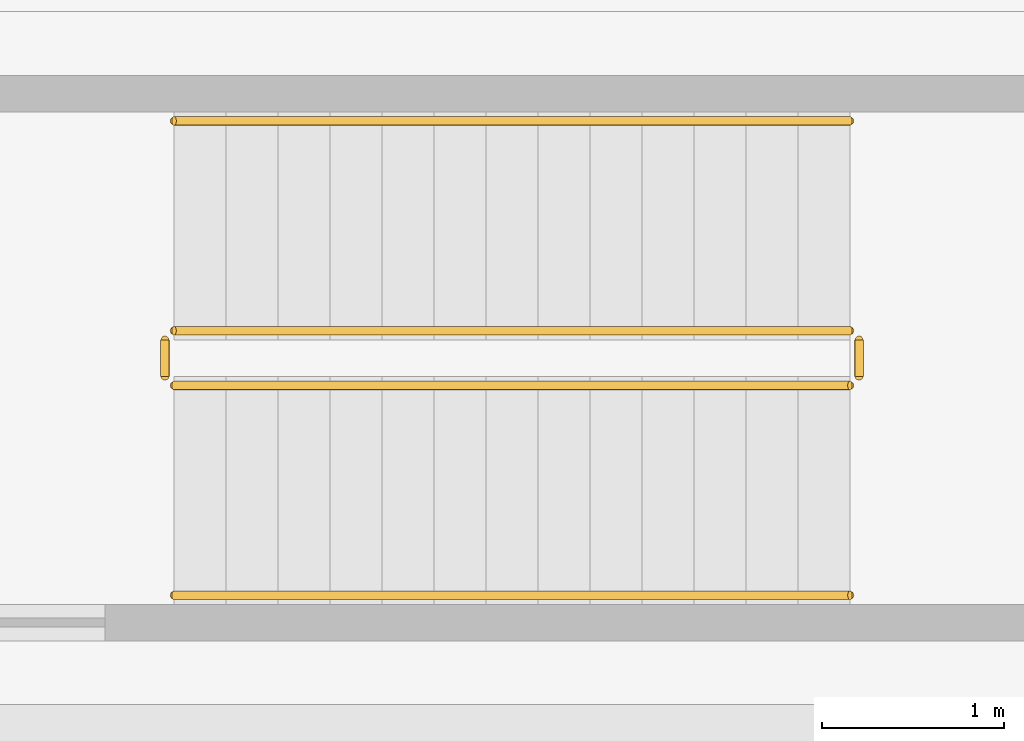
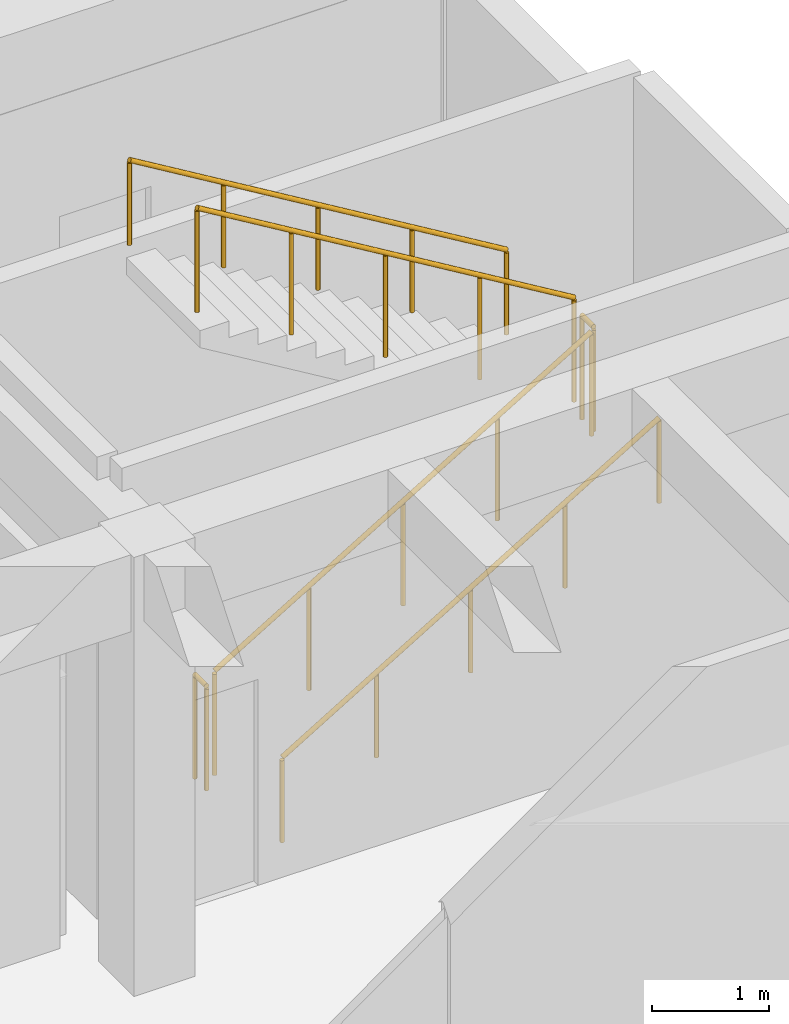
# One storey, part 155 of 155: 6 railings.
"""IFC4 building model written with IfcOpenShell, lengths in metres."""

import ifcopenshell
import ifcopenshell.guid

model = None  # the IFC model being written
_history = None  # IfcOwnerHistory: only IFC2X3 demands one
_inside = {}  # id of a spatial element -> (the spatial element, [elements in it])
_under = {}  # id of a project, library or spatial element -> (it, [spatial elements below it])
_declared = {}  # id of a project -> (the project, [libraries it declares])
_typed = {}  # id of a type object -> (the type object, [elements of that type])
_made_of = {}  # id of a material, layer set ... -> (it, [elements and type objects made of it])


def new_model(schema):
    """Start an empty IFC model of exactly this schema.

    Asked for "IFC4X3", IfcOpenShell would pick the latest addendum, in which some entities
    have other attributes; the version numbers below select the first issue.
    IFC2X3 requires an IfcOwnerHistory on every rooted entity: one is made here for all.
    """
    global model, _history
    if schema == "IFC4X3":
        model = ifcopenshell.file(schema_version=(4, 3, 0, 0))
    else:
        model = ifcopenshell.file(schema=schema)
    _inside.clear()
    _under.clear()
    _declared.clear()
    _typed.clear()
    _made_of.clear()
    _history = None
    if model.schema == "IFC2X3":
        org = make("IfcOrganization", Name="unknown")
        user = make(
            "IfcPersonAndOrganization",
            ThePerson=make("IfcPerson", FamilyName="unknown"),
            TheOrganization=org,
        )
        app = make(
            "IfcApplication",
            ApplicationDeveloper=org,
            Version="unknown",
            ApplicationFullName="unknown",
            ApplicationIdentifier="unknown",
        )
        _history = make(
            "IfcOwnerHistory",
            OwningUser=user,
            OwningApplication=app,
            ChangeAction="ADDED",
            CreationDate=0,
        )
    return model


def make(cls, **values):
    """One entity of the class cls with the attributes given. An attribute that is None is left unset."""
    return model.create_entity(
        cls, **{name: value for name, value in values.items() if value is not None}
    )


def rooted(cls, **values):
    """An entity with a GlobalId (a new one), such as an element, a storey or a relation."""
    return make(cls, GlobalId=ifcopenshell.guid.new(), OwnerHistory=_history, **values)


def si_unit(unit_type, name, prefix=None):
    """IfcSIUnit, for example si_unit("LENGTHUNIT", "METRE", prefix="MILLI")."""
    return make("IfcSIUnit", UnitType=unit_type, Prefix=prefix, Name=name)


def assignment(units):
    """IfcUnitAssignment: the units of a project."""
    return None if units is None else make("IfcUnitAssignment", Units=units)


def point(xyz):
    """IfcCartesianPoint."""
    return None if xyz is None else make("IfcCartesianPoint", Coordinates=xyz)


def direction(xyz):
    """IfcDirection."""
    return None if xyz is None else make("IfcDirection", DirectionRatios=xyz)


def frame(location, z_axis=None, x_axis=None):
    """IfcAxis2Placement3D, a coordinate frame: its origin and axes. An axis left out is left unset."""
    return make(
        "IfcAxis2Placement3D",
        Location=point(location),
        Axis=direction(z_axis),
        RefDirection=direction(x_axis),
    )


def frame_2d(location, x_axis=None):
    """IfcAxis2Placement2D, a coordinate frame in the plane: its origin and x axis."""
    return make(
        "IfcAxis2Placement2D", Location=point(location), RefDirection=direction(x_axis)
    )


def origin():
    """The frame at (0, 0, 0) with its axes left unset."""
    return frame((0.0, 0.0, 0.0))


def origin_2d():
    """The frame at (0, 0) in the plane with its x axis left unset."""
    return frame_2d((0.0, 0.0))


def place(relative_to, where):
    """IfcLocalPlacement: puts the frame where relative to a parent placement (None: the world)."""
    return make(
        "IfcLocalPlacement", PlacementRelTo=relative_to, RelativePlacement=where
    )


def context(
    kind, dimensions, precision=None, world=None, true_north=None, identifier=None
):
    """IfcGeometricRepresentationContext, for example the 3D "Model" context."""
    return make(
        "IfcGeometricRepresentationContext",
        ContextIdentifier=identifier,
        ContextType=kind,
        CoordinateSpaceDimension=dimensions,
        Precision=precision,
        WorldCoordinateSystem=world,
        TrueNorth=true_north,
    )


def subcontext(parent, identifier, kind, view, scale=None):
    """IfcGeometricRepresentationSubContext, for example "Body" below "Model"."""
    return make(
        "IfcGeometricRepresentationSubContext",
        ContextIdentifier=identifier,
        ContextType=kind,
        ParentContext=parent,
        TargetScale=scale,
        TargetView=view,
    )


def project(units=None, contexts=None):
    """IfcProject with its units and contexts."""
    return rooted(
        "IfcProject",
        Name="project",
        RepresentationContexts=contexts,
        UnitsInContext=assignment(units),
    )


def spatial(cls, under=None, at=None, **own):
    """A site, building, storey or space (cls), placed at a placement, below another one or the project."""
    s = rooted(cls, ObjectPlacement=at, **own)
    if under is not None:
        _under.setdefault(under.id(), (under, []))[1].append(s)
    return s


def profile(cls, at=None, kind="AREA", **sizes):
    """A parametric profile (cls). Its sizes go by their IFC names, for example OverallWidth=200.0."""
    return make(cls, ProfileType=kind, Position=at, **sizes)


def circle(**sizes):
    """IfcCircleProfileDef."""
    return profile("IfcCircleProfileDef", **sizes)


def extrude(swept, where, along, depth):
    """IfcExtrudedAreaSolid: the profile swept, set in the frame where, extruded along a direction by depth."""
    return make(
        "IfcExtrudedAreaSolid",
        SweptArea=swept,
        Position=where,
        ExtrudedDirection=direction(along),
        Depth=depth,
    )


def shape(context_of_items, identifier, shape_type, items):
    """IfcShapeRepresentation: the items that make up one representation, for example the "Body"."""
    return make(
        "IfcShapeRepresentation",
        ContextOfItems=context_of_items,
        RepresentationIdentifier=identifier,
        RepresentationType=shape_type,
        Items=items,
    )


def material(Name=None, Category=None):
    """IfcMaterial."""
    return make("IfcMaterial", Name=Name, Category=Category)


def made_of(thing, what):
    """Note that an element or type object is made of a material, layer set ...; save() writes the relation."""
    if what is not None:
        _made_of.setdefault(what.id(), (what, []))[1].append(thing)
    return thing


def type_object(cls, material=None, **own):
    """A type object (cls), such as IfcWallType, which elements share."""
    return made_of(rooted(cls, **own), material)


def element(
    cls,
    number,
    at=None,
    inside=None,
    cuts=None,
    type_object=None,
    material=None,
    context=None,
    identifier="Body",
    shape_type=None,
    held_by="IfcProductDefinitionShape",
    body=None,
    shapes=None,
    **own,
):
    """One element of the class cls, such as IfcWall. Its Tag is "e" and its number.

    at: its placement. inside: the storey or other place that contains it. cuts: it is an
    opening in that element (IfcRelVoidsElement). A single representation is given by context,
    identifier, shape_type and body (its items); several are given by shapes. held_by: the class
    of the entity that holds the representations. save() writes the other relations.
    """
    e = rooted(cls, Tag="e%d" % number, ObjectPlacement=at, **own)
    if body is not None:
        shapes = [shape(context, identifier, shape_type, body)]
    if shapes is not None:
        e.Representation = make(held_by, Representations=shapes)
    if inside is not None:
        _inside.setdefault(inside.id(), (inside, []))[1].append(e)
    if cuts is not None:
        rooted(
            "IfcRelVoidsElement", RelatingBuildingElement=cuts, RelatedOpeningElement=e
        )
    if type_object is not None:
        _typed.setdefault(type_object.id(), (type_object, []))[1].append(e)
    return made_of(e, material)


def aggregate(whole, parts):
    """IfcRelAggregates: a whole, such as a stair, and the parts it consists of."""
    return rooted("IfcRelAggregates", RelatingObject=whole, RelatedObjects=parts)


def save(model, path):
    """Write the relations noted so far, then the file.

    IfcRelAggregates (storeys below a building ...), IfcRelContainedInSpatialStructure (elements
    in a storey), IfcRelDefinesByType, IfcRelAssociatesMaterial and IfcRelDeclares: one each for
    every whole, place, type object, material and project.
    """
    for whole, parts in _under.values():
        aggregate(whole, parts)
    for where, things in _inside.values():
        rooted(
            "IfcRelContainedInSpatialStructure",
            RelatedElements=things,
            RelatingStructure=where,
        )
    for kind, things in _typed.values():
        rooted("IfcRelDefinesByType", RelatedObjects=things, RelatingType=kind)
    for what, things in _made_of.values():
        rooted("IfcRelAssociatesMaterial", RelatedObjects=things, RelatingMaterial=what)
    for by, libraries in _declared.values():
        rooted("IfcRelDeclares", RelatingContext=by, RelatedDefinitions=libraries)
    model.write(path)


model = new_model("IFC4")

# Units and contexts
model_context = context("Model", 3, precision=1e-05, world=origin(), true_north=direction((0.0, 1.0)))
body_context = subcontext(model_context, "Body", "Model", "MODEL_VIEW")
ifc_project = project(units=[si_unit("LENGTHUNIT", "METRE"), si_unit("AREAUNIT", "SQUARE_METRE"), si_unit("VOLUMEUNIT", "CUBIC_METRE"), si_unit("PLANEANGLEUNIT", "RADIAN"), si_unit("MASSUNIT", "GRAM", prefix="KILO")], contexts=[model_context])

# Site, building, storey
site_placement = place(None, origin())
site = spatial("IfcSite", under=ifc_project, at=site_placement, CompositionType="ELEMENT")
building_placement = place(site_placement, origin())
building = spatial("IfcBuilding", under=site, at=building_placement, Name="Bramvelor Terrace Health Centre", CompositionType="ELEMENT")
storey_placement = place(building_placement, origin())
storey = spatial("IfcBuildingStorey", under=building, at=storey_placement, Name="L01", CompositionType="ELEMENT", Elevation=0.0)

# Railings
ifc_material_1 = material(Name="Painted galvanized steel", Category="steel")
railing_type_1 = type_object("IfcRailingType", Name="RLG-GD-1100", PredefinedType="GUARDRAIL", material=ifc_material_1)
railing_1_placement = place(storey_placement, frame((160.219970703125, 59.60009765625, 0.17138671875)))
element("IfcRailing", 1, at=railing_1_placement, inside=storey, type_object=railing_type_1, Name="L01 ST-7 stair guard 1", PredefinedType="GUARDRAIL", context=body_context, shape_type="SweptSolid", body=[
    extrude(circle(Radius=0.02392578125, at=origin_2d()), frame((0.0, 0.0, 1.076171875), z_axis=(0.856934400257, 0.0, 0.515425487977), x_axis=(0.0, 1.0, 0.0)), (0.0, 0.0, 1.0), 4.32373046875),
    extrude(circle(Radius=0.02099609375, at=origin_2d()), origin(), (0.0, 0.0, 1.0), 1.052001953125),
    extrude(circle(Radius=0.02099609375, at=origin_2d()), frame((0.92626953125, 0.0, 0.55712890625)), (0.0, 0.0, 1.0), 1.052001953125),
    extrude(circle(Radius=0.02099609375, at=origin_2d()), frame((1.8525390625, 0.0, 1.1142578125)), (0.0, 0.0, 1.0), 1.052001953125),
    extrude(circle(Radius=0.02099609375, at=origin_2d()), frame((2.77880859375, 0.0, 1.67138671875)), (0.0, 0.0, 1.0), 1.052001953125),
    extrude(circle(Radius=0.02099609375, at=origin_2d()), frame((3.705078125, 0.0, 2.228515625)), (0.0, 0.0, 1.0), 1.052001953125),
])
railing_2_placement = place(storey_placement, frame((163.97509765625, 59.64990234375, 2.39990234375)))
element("IfcRailing", 2, at=railing_2_placement, inside=storey, type_object=railing_type_1, Name="L01 ST-7 stair guard 2", PredefinedType="GUARDRAIL", context=body_context, shape_type="SweptSolid", body=[
    extrude(circle(Radius=0.02392578125, at=origin_2d()), frame((0.0, 0.0, 1.076171875), z_axis=(0.0, 1.0, 0.0), x_axis=(-1.0, 0.0, 0.0)), (0.0, 0.0, 1.0), 0.2001953125),
    extrude(circle(Radius=0.02099609375, at=origin_2d()), origin(), (0.0, 0.0, 1.0), 1.052001953125),
    extrude(circle(Radius=0.02099609375, at=origin_2d()), frame((0.0, 0.2001953125, 0.0)), (0.0, 0.0, 1.0), 1.052001953125),
])
railing_3_placement = place(storey_placement, frame((163.925048828125, 59.89990234375, 2.571533203125)))
element("IfcRailing", 3, at=railing_3_placement, inside=storey, type_object=railing_type_1, Name="L01 ST-7 stair guard 3", PredefinedType="GUARDRAIL", context=body_context, shape_type="SweptSolid", body=[
    extrude(circle(Radius=0.02392578125, at=origin_2d()), frame((0.0, 0.0, 1.076171875), z_axis=(-0.856934400257, 0.0, 0.515425487977), x_axis=(0.0, -1.0, 0.0)), (0.0, 0.0, 1.0), 4.32373046875),
    extrude(circle(Radius=0.02099609375, at=origin_2d()), origin(), (0.0, 0.0, 1.0), 1.052001953125),
    extrude(circle(Radius=0.02099609375, at=origin_2d()), frame((-0.92626953125, 0.0, 0.55712890625)), (0.0, 0.0, 1.0), 1.052001953125),
    extrude(circle(Radius=0.02099609375, at=origin_2d()), frame((-1.8525390625, 0.0, 1.1142578125)), (0.0, 0.0, 1.0), 1.052001953125),
    extrude(circle(Radius=0.02099609375, at=origin_2d()), frame((-2.77880859375, 0.0, 1.67138671875)), (0.0, 0.0, 1.0), 1.052001953125),
    extrude(circle(Radius=0.02099609375, at=origin_2d()), frame((-3.705078125, 0.0, 2.228515625)), (0.0, 0.0, 1.0), 1.052001953125),
])
railing_4_placement = place(storey_placement, frame((160.169921875, 59.64990234375, 0.0)))
element("IfcRailing", 4, at=railing_4_placement, inside=storey, type_object=railing_type_1, Name="L01 ST-7 stair guard 4", PredefinedType="GUARDRAIL", context=body_context, shape_type="SweptSolid", body=[
    extrude(circle(Radius=0.02392578125, at=origin_2d()), frame((0.0, 0.0, 1.076171875), z_axis=(0.0, 1.0, 0.0), x_axis=(-1.0, 0.0, 0.0)), (0.0, 0.0, 1.0), 0.2001953125),
    extrude(circle(Radius=0.02099609375, at=origin_2d()), origin(), (0.0, 0.0, 1.0), 1.052001953125),
    extrude(circle(Radius=0.02099609375, at=origin_2d()), frame((0.0, 0.2001953125, 0.0)), (0.0, 0.0, 1.0), 1.052001953125),
])
ifc_material_2 = material(Name="Brushed stainless steel 316", Category="steel")
railing_type_2 = type_object("IfcRailingType", Name="RLG-HR-900", PredefinedType="HANDRAIL", material=ifc_material_2)
railing_5_placement = place(storey_placement, frame((160.219970703125, 58.449951171875, 0.17138671875)))
element("IfcRailing", 5, at=railing_5_placement, inside=storey, type_object=railing_type_2, Name="L01 ST-7 stair handrail 1", PredefinedType="HANDRAIL", context=body_context, shape_type="SweptSolid", body=[
    extrude(circle(Radius=0.02392578125, at=origin_2d()), frame((0.0, 0.0, 0.8759765625), z_axis=(0.856934400257, 0.0, 0.515425487977), x_axis=(0.0, 1.0, 0.0)), (0.0, 0.0, 1.0), 4.32373046875),
    extrude(circle(Radius=0.02099609375, at=origin_2d()), origin(), (0.0, 0.0, 1.0), 0.851806640625),
    extrude(circle(Radius=0.02099609375, at=origin_2d()), frame((0.92626953125, 0.0, 0.55712890625)), (0.0, 0.0, 1.0), 0.851806640625),
    extrude(circle(Radius=0.02099609375, at=origin_2d()), frame((1.8525390625, 0.0, 1.1142578125)), (0.0, 0.0, 1.0), 0.851806640625),
    extrude(circle(Radius=0.02099609375, at=origin_2d()), frame((2.77880859375, 0.0, 1.67138671875)), (0.0, 0.0, 1.0), 0.851806640625),
    extrude(circle(Radius=0.02099609375, at=origin_2d()), frame((3.705078125, 0.0, 2.228515625)), (0.0, 0.0, 1.0), 0.851806640625),
])
railing_6_placement = place(storey_placement, frame((163.925048828125, 61.050048828125, 2.571533203125)))
element("IfcRailing", 6, at=railing_6_placement, inside=storey, type_object=railing_type_2, Name="L01 ST-7 stair handrail 2", PredefinedType="HANDRAIL", context=body_context, shape_type="SweptSolid", body=[
    extrude(circle(Radius=0.02392578125, at=origin_2d()), frame((0.0, 0.0, 0.8759765625), z_axis=(-0.856934400257, 0.0, 0.515425487977), x_axis=(0.0, -1.0, 0.0)), (0.0, 0.0, 1.0), 4.32373046875),
    extrude(circle(Radius=0.02099609375, at=origin_2d()), origin(), (0.0, 0.0, 1.0), 0.851806640625),
    extrude(circle(Radius=0.02099609375, at=origin_2d()), frame((-0.92626953125, 0.0, 0.55712890625)), (0.0, 0.0, 1.0), 0.851806640625),
    extrude(circle(Radius=0.02099609375, at=origin_2d()), frame((-1.8525390625, 0.0, 1.1142578125)), (0.0, 0.0, 1.0), 0.851806640625),
    extrude(circle(Radius=0.02099609375, at=origin_2d()), frame((-2.77880859375, 0.0, 1.67138671875)), (0.0, 0.0, 1.0), 0.851806640625),
    extrude(circle(Radius=0.02099609375, at=origin_2d()), frame((-3.705078125, 0.0, 2.228515625)), (0.0, 0.0, 1.0), 0.851806640625),
])

save(model, "model.ifc")
